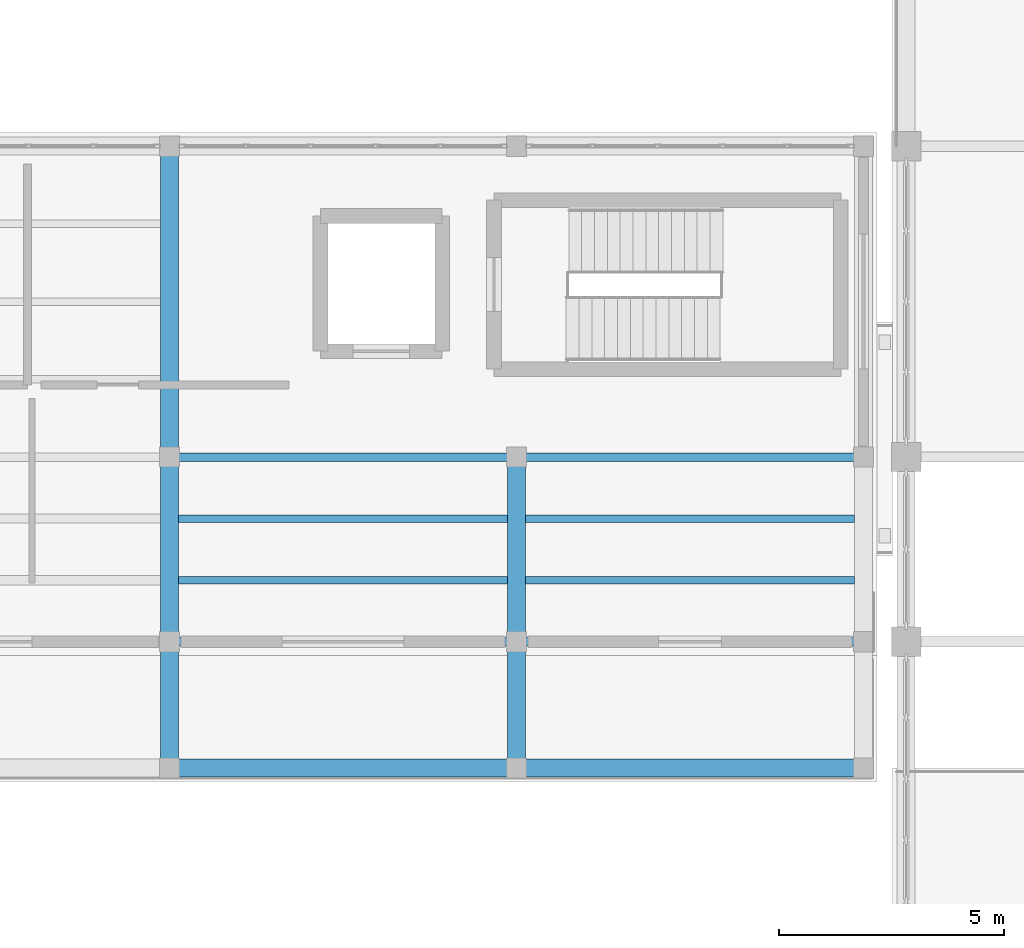
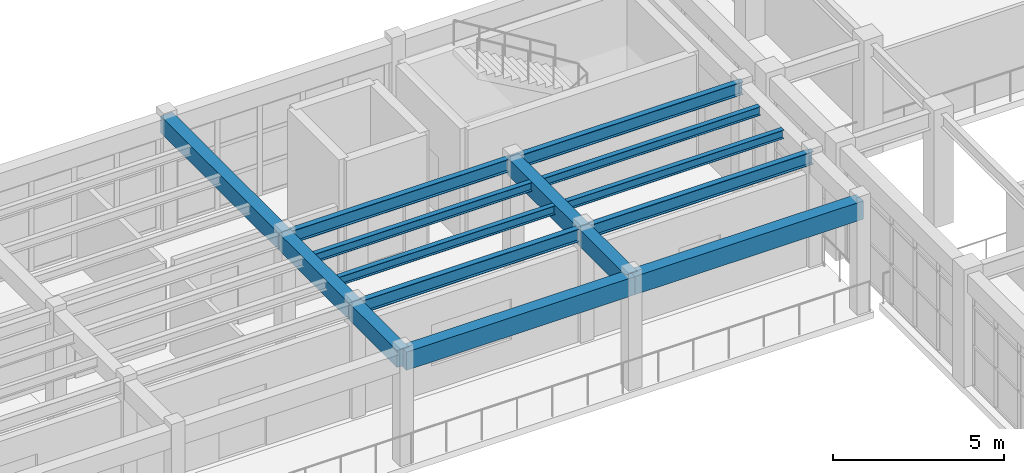
# One storey, part 14 of 66: 15 beams.
"""IFC4 building model written with IfcOpenShell, lengths in metres."""

from ifc_helpers import new_model, si_unit, direction, frame, origin, origin_2d, place, context, subcontext, project, spatial, rectangle, i_section, extrude, material, material_profile, profile_set, type_object, element, save


model = new_model("IFC4")

# Units and contexts
model_context = context("Model", 3, precision=1e-05, world=origin(), true_north=direction((0.0, 1.0)))
body_context = subcontext(model_context, "Body", "Model", "MODEL_VIEW")
ifc_project = project(units=[si_unit("LENGTHUNIT", "METRE"), si_unit("AREAUNIT", "SQUARE_METRE"), si_unit("VOLUMEUNIT", "CUBIC_METRE"), si_unit("PLANEANGLEUNIT", "RADIAN"), si_unit("MASSUNIT", "GRAM", prefix="KILO")], contexts=[model_context])

# Site, building, storey
site_placement = place(None, origin())
site = spatial("IfcSite", under=ifc_project, at=site_placement, CompositionType="ELEMENT")
building_placement = place(site_placement, origin())
building = spatial("IfcBuilding", under=site, at=building_placement, Name="Candilejo Ridge Gondola Terminal", CompositionType="ELEMENT")
storey_placement = place(building_placement, frame((0.0, 0.0, 14.39990234375)))
storey = spatial("IfcBuildingStorey", under=building, at=storey_placement, Name="L03", CompositionType="ELEMENT", Elevation=14.39990234375)

# Beams
ifc_material_1 = material(Name="Concrete f'c 35 MPa (C35/45)", Category="concrete")
ifc_material_profile_1 = material_profile(ifc_material_1, rectangle(XDim=0.39990234375, YDim=0.60009765625, at=origin_2d()))
ifc_profile_set_1 = profile_set([ifc_material_profile_1], Name="Concrete f'c 35 MPa (C35/45)")
beam_type_1 = type_object("IfcBeamType", Name="STR-BM-RC400X600", PredefinedType="BEAM", material=ifc_profile_set_1)
beam_1_placement = place(storey_placement, frame((117.550048828125, 22.89990234375, 3.690185546875), z_axis=(0.0, 1.0, 0.0), x_axis=(-1.0, 0.0, 0.0)))
element("IfcBeam", 1, at=beam_1_placement, inside=storey, type_object=beam_type_1, Name="Beam Y V3 L03 Y04-Y05@X18", PredefinedType="BEAM", context=body_context, shape_type="SweptSolid", body=[
    extrude(rectangle(XDim=0.39990234375, YDim=0.60009765625, at=origin_2d()), origin(), (0.0, 0.0, 1.0), 2.800048828125),
])
beam_2_placement = place(storey_placement, frame((117.550048828125, 25.699951171875, 3.690185546875), z_axis=(0.0, 1.0, 0.0), x_axis=(-1.0, 0.0, 0.0)))
element("IfcBeam", 2, at=beam_2_placement, inside=storey, type_object=beam_type_1, Name="Beam Y V3 L03 Y05-Y06@X18", PredefinedType="BEAM", context=body_context, shape_type="SweptSolid", body=[
    extrude(rectangle(XDim=0.39990234375, YDim=0.60009765625, at=origin_2d()), origin(), (0.0, 0.0, 1.0), 4.10009765625),
])
beam_3_placement = place(storey_placement, frame((117.550048828125, 29.800048828125, 3.690185546875), z_axis=(0.0, 1.0, 0.0), x_axis=(-1.0, 0.0, 0.0)))
element("IfcBeam", 3, at=beam_3_placement, inside=storey, type_object=beam_type_1, Name="Beam Y V3 L03 Y06-Y07@X18", PredefinedType="BEAM", context=body_context, shape_type="SweptSolid", body=[
    extrude(rectangle(XDim=0.39990234375, YDim=0.60009765625, at=origin_2d()), origin(), (0.0, 0.0, 1.0), 6.89990234375),
])
beam_4_placement = place(storey_placement, frame((125.25, 22.89990234375, 3.690185546875), z_axis=(0.0, 1.0, 0.0), x_axis=(-1.0, 0.0, 0.0)))
element("IfcBeam", 4, at=beam_4_placement, inside=storey, type_object=beam_type_1, Name="Beam Y V3 L03 Y04-Y05@X19", PredefinedType="BEAM", context=body_context, shape_type="SweptSolid", body=[
    extrude(rectangle(XDim=0.39990234375, YDim=0.60009765625, at=origin_2d()), origin(), (0.0, 0.0, 1.0), 2.800048828125),
])
beam_5_placement = place(storey_placement, frame((125.25, 25.699951171875, 3.690185546875), z_axis=(0.0, 1.0, 0.0), x_axis=(-1.0, 0.0, 0.0)))
element("IfcBeam", 5, at=beam_5_placement, inside=storey, type_object=beam_type_1, Name="Beam Y V3 L03 Y05-Y06@X19", PredefinedType="BEAM", context=body_context, shape_type="SweptSolid", body=[
    extrude(rectangle(XDim=0.39990234375, YDim=0.60009765625, at=origin_2d()), origin(), (0.0, 0.0, 1.0), 4.10009765625),
])
ifc_material_2 = material(Name="Steel ASTM A992 Grade 50", Category="steel")
ifc_material_profile_2 = material_profile(ifc_material_2, i_section(OverallWidth=0.18994140625, OverallDepth=0.45703125, WebThickness=0.009033203125, FlangeThickness=0.014404296875, at=origin_2d()))
ifc_profile_set_2 = profile_set([ifc_material_profile_2], Name="Steel ASTM A992 Grade 50")
beam_type_2 = type_object("IfcBeamType", Name="STR-BM-W460X74", PredefinedType="BEAM", material=ifc_profile_set_2)
for number, where, z_axis, x_axis, name in (
    (6, (117.550048828125, 25.699951171875, 3.76171875), (1.0, 0.0, 0.0), (0.0, 1.0, 0.0), "Beam X V3 L03 X18-X19@Y05"),
    (7, (125.25, 25.699951171875, 3.76171875), (1.0, 0.0, 0.0), (0.0, 1.0, 0.0), "Beam X V3 L03 X19-X20@Y05"),
    (8, (117.550048828125, 29.800048828125, 3.76171875), (1.0, 0.0, 0.0), (0.0, 1.0, 0.0), "Beam X V3 L03 X18-X19@Y06"),
    (9, (125.25, 29.800048828125, 3.76171875), (1.0, 0.0, 0.0), (0.0, 1.0, 0.0), "Beam X V3 L03 X19-X20@Y06"),
):
    element("IfcBeam", number, at=place(storey_placement, frame(where, z_axis=z_axis, x_axis=x_axis)), inside=storey, type_object=beam_type_2, Name=name, PredefinedType="BEAM", context=body_context, shape_type="SweptSolid", body=[
        extrude(i_section(OverallWidth=0.18994140625, OverallDepth=0.45703125, WebThickness=0.009033203125, FlangeThickness=0.014404296875, at=origin_2d()), origin(), (0.0, 0.0, 1.0), 7.699951171875),
    ])
ifc_material_3 = material(Name="Steel ASTM A992 Grade 50", Category="steel")
ifc_material_profile_3 = material_profile(ifc_material_3, i_section(OverallWidth=0.1650390625, OverallDepth=0.31005859375, WebThickness=0.005859375, FlangeThickness=0.009765625, at=origin_2d()))
ifc_profile_set_3 = profile_set([ifc_material_profile_3], Name="Steel ASTM A992 Grade 50")
beam_type_3 = type_object("IfcBeamType", Name="STR-JST-W310X39", PredefinedType="JOIST", material=ifc_profile_set_3)
for number, where, z_axis, x_axis, name in (
    (10, (125.449951171875, 27.066650390625, 3.835205078125), (1.0, 0.0, 0.0), (0.0, 1.0, 0.0), "Composite joist V3 L03-0636"),
    (11, (125.449951171875, 28.433349609375, 3.835205078125), (1.0, 0.0, 0.0), (0.0, 1.0, 0.0), "Composite joist V3 L03-0637"),
):
    element("IfcBeam", number, at=place(storey_placement, frame(where, z_axis=z_axis, x_axis=x_axis)), inside=storey, type_object=beam_type_3, Name=name, PredefinedType="JOIST", context=body_context, shape_type="SweptSolid", body=[
        extrude(i_section(OverallWidth=0.1650390625, OverallDepth=0.31005859375, WebThickness=0.005859375, FlangeThickness=0.009765625, at=origin_2d()), origin(), (0.0, 0.0, 1.0), 7.300048828125),
    ])
ifc_material_4 = material(Name="Steel ASTM A992 Grade 50", Category="steel")
ifc_material_profile_4 = material_profile(ifc_material_4, i_section(OverallWidth=0.166015625, OverallDepth=0.31298828125, WebThickness=0.006591796875, FlangeThickness=0.01123046875, at=origin_2d()))
ifc_profile_set_4 = profile_set([ifc_material_profile_4], Name="Steel ASTM A992 Grade 50")
beam_type_4 = type_object("IfcBeamType", Name="STR-JST-W310X44", PredefinedType="JOIST", material=ifc_profile_set_4)
for number, where, z_axis, x_axis, name in (
    (12, (117.75, 27.066650390625, 3.83349609375), (1.0, 0.0, 0.0), (0.0, 1.0, 0.0), "Composite joist V3 L03-0634"),
    (13, (117.75, 28.433349609375, 3.83349609375), (1.0, 0.0, 0.0), (0.0, 1.0, 0.0), "Composite joist V3 L03-0635"),
):
    element("IfcBeam", number, at=place(storey_placement, frame(where, z_axis=z_axis, x_axis=x_axis)), inside=storey, type_object=beam_type_4, Name=name, PredefinedType="JOIST", context=body_context, shape_type="SweptSolid", body=[
        extrude(i_section(OverallWidth=0.166015625, OverallDepth=0.31298828125, WebThickness=0.006591796875, FlangeThickness=0.01123046875, at=origin_2d()), origin(), (0.0, 0.0, 1.0), 7.300048828125),
    ])
ifc_material_5 = material(Name="Concrete f'c 35 MPa (C35/45)", Category="concrete")
ifc_material_profile_5 = material_profile(ifc_material_5, rectangle(XDim=0.39990234375, YDim=0.64990234375, at=origin_2d()))
ifc_profile_set_5 = profile_set([ifc_material_profile_5], Name="Concrete f'c 35 MPa (C35/45)")
beam_type_5 = type_object("IfcBeamType", Name="STR-SPN-RC400X650", PredefinedType="SPANDREL", material=ifc_profile_set_5)
for number, where, z_axis, x_axis, name in (
    (14, (117.550048828125, 22.89990234375, 3.6650390625), (1.0, 0.0, 0.0), (0.0, 1.0, 0.0), "Beam X V3 L03 X18-X19@Y04"),
    (15, (125.25, 22.89990234375, 3.6650390625), (1.0, 0.0, 0.0), (0.0, 1.0, 0.0), "Beam X V3 L03 X19-X20@Y04"),
):
    element("IfcBeam", number, at=place(storey_placement, frame(where, z_axis=z_axis, x_axis=x_axis)), inside=storey, type_object=beam_type_5, Name=name, PredefinedType="SPANDREL", context=body_context, shape_type="SweptSolid", body=[
        extrude(rectangle(XDim=0.39990234375, YDim=0.64990234375, at=origin_2d()), origin(), (0.0, 0.0, 1.0), 7.699951171875),
    ])

save(model, "model.ifc")
